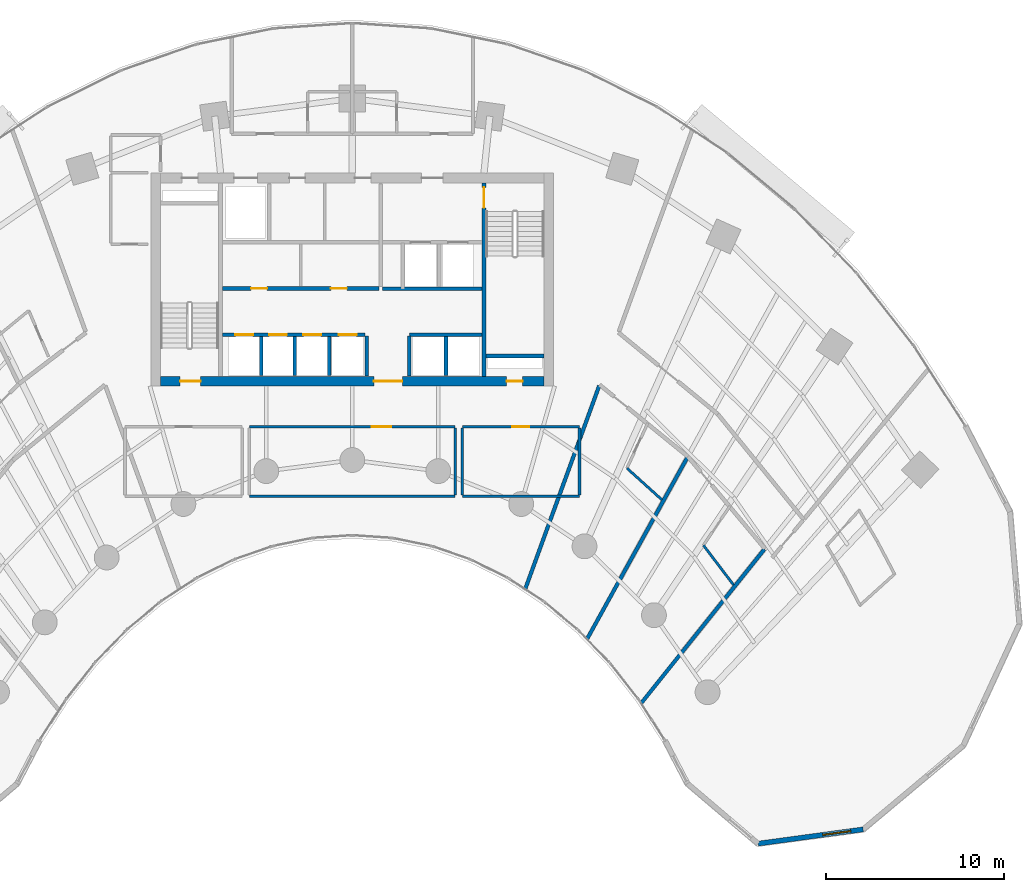
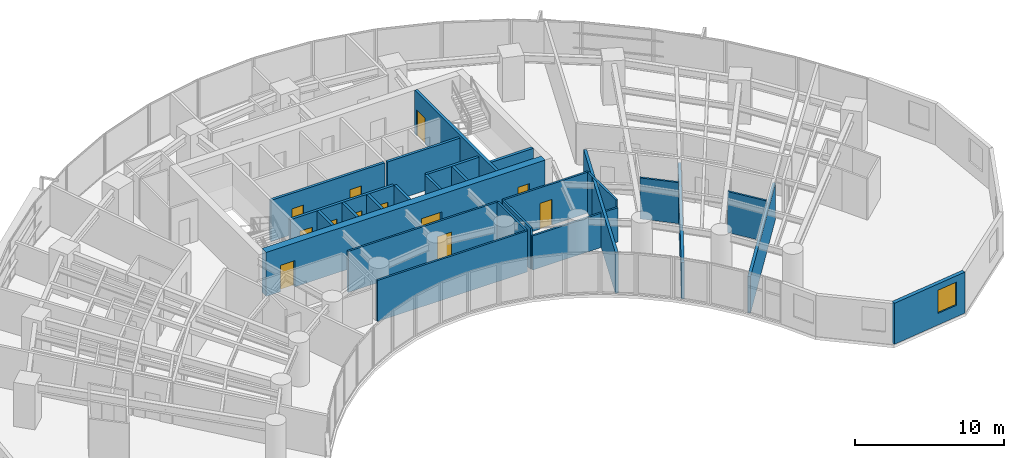
# One storey, part 12 of 17: 26 walls, 12 doors, 1 window, 13 openings.
"""IFC4 building model written with IfcOpenShell, lengths in metres."""

from ifc_helpers import new_model, si_unit, direction, frame, frame_2d, origin, place, context, subcontext, project, spatial, rectangle, extrude, source, transform, mapped, material, layer, layer_set, type_object, type_shapes, element, fill, save


model = new_model("IFC4")

# Units and contexts
model_context = context("Model", 3, precision=1e-05, world=origin(), true_north=direction((0.0, 1.0)))
body_context = subcontext(model_context, "Body", "Model", "MODEL_VIEW")
ifc_project = project(units=[si_unit("LENGTHUNIT", "METRE"), si_unit("AREAUNIT", "SQUARE_METRE"), si_unit("VOLUMEUNIT", "CUBIC_METRE"), si_unit("PLANEANGLEUNIT", "RADIAN"), si_unit("MASSUNIT", "GRAM", prefix="KILO")], contexts=[model_context])

# Site, building, storey
site_placement = place(None, origin())
site = spatial("IfcSite", under=ifc_project, at=site_placement, CompositionType="ELEMENT")
building_placement = place(site_placement, origin())
building = spatial("IfcBuilding", under=site, at=building_placement, Name="Breltana Convention Tower", CompositionType="ELEMENT")
storey_placement = place(building_placement, frame((0.0, 0.0, 75.0)))
storey = spatial("IfcBuildingStorey", under=building, at=storey_placement, Name="L17", CompositionType="ELEMENT", Elevation=75.0)

# Wall, openings, doors
ifc_material_1 = material(Name="Concrete C60/75", Category="concrete")
ifc_layer_1 = layer(ifc_material_1, 0.550048828125, Name="Concrete C60/75")
ifc_layer_set_1 = layer_set([ifc_layer_1], Name="Concrete C60/75")
wall_type_1 = type_object("IfcWallType", Name="SW-CORE-550", PredefinedType="SHEAR", material=ifc_layer_set_1)
shared_shape_1 = source(origin(), body_context, "Body", "SweptSolid", [
    extrude(rectangle(XDim=21.60009765625, YDim=0.550048828125, at=frame_2d((10.800048828125, 0.0))), origin(), (0.0, 0.0, 1.0), 3.60009765625),
])
wall_1_placement = place(storey_placement, frame((37.199951171875, 60.47509765625, 0.0), z_axis=(0.0, 0.0, 1.0), x_axis=(1.0, 0.0, 0.0)))
wall_1 = element("IfcWall", 1, at=wall_1_placement, inside=storey, type_object=wall_type_1, Name="L17 South Core Shear Wall", PredefinedType="SHEAR", context=body_context, shape_type="MappedRepresentation", body=[
    mapped(shared_shape_1, transform((0.0, 0.0, 0.0), scale=1.0)),
])
opening_1_placement = place(wall_1_placement, frame((1.10009765625, 0.0, 0.0)))
opening_1 = element("IfcOpeningElement", 2, at=opening_1_placement, cuts=wall_1, Name="Opening D-11", PredefinedType="OPENING", context=body_context, shape_type="SweptSolid", body=[
    extrude(rectangle(XDim=1.14990234375, YDim=2.14990234375, at=frame_2d((0.574951171875, 1.074951171875))), frame((0.0, 0.28515625, 0.0), z_axis=(0.0, -1.0, 0.0), x_axis=(1.0, 0.0, 0.0)), (0.0, 0.0, 1.0), 0.570068359375),
])
opening_2_placement = place(wall_1_placement, frame((19.5, 0.0, 0.0)))
opening_2 = element("IfcOpeningElement", 3, at=opening_2_placement, cuts=wall_1, Name="Opening D-18", PredefinedType="OPENING", context=body_context, shape_type="SweptSolid", body=[
    extrude(rectangle(XDim=0.89990234375, YDim=2.10009765625, at=frame_2d((0.449951171875, 1.050048828125))), frame((0.0, 0.28515625, 0.0), z_axis=(0.0, -1.0, 0.0), x_axis=(1.0, 0.0, 0.0)), (0.0, 0.0, 1.0), 0.570068359375),
])
opening_3_placement = place(wall_1_placement, frame((12.02001953125, 0.0, 0.0)))
opening_3 = element("IfcOpeningElement", 4, at=opening_3_placement, cuts=wall_1, Name="Opening D-02", PredefinedType="OPENING", context=body_context, shape_type="SweptSolid", body=[
    extrude(rectangle(XDim=1.60009765625, YDim=2.14990234375, at=frame_2d((0.800048828125, 1.074951171875))), frame((0.0, 0.28515625, 0.0), z_axis=(0.0, -1.0, 0.0), x_axis=(1.0, 0.0, 0.0)), (0.0, 0.0, 1.0), 0.570068359375),
])
ifc_material_2 = material(Name="Steel Stair Exit Door", Category="steel")
door_type_1 = type_object("IfcDoorType", Name="DR-FD120-1150", OperationType="NOTDEFINED", PredefinedType="DOOR", material=ifc_material_2)
shared_shape_2 = source(origin(), body_context, "Body", "SweptSolid", [
    extrude(rectangle(XDim=1.14990234375, YDim=2.14990234375, at=frame_2d((0.574951171875, 1.074951171875))), frame((0.0, 0.02490234375, 0.0), z_axis=(0.0, -1.0, 0.0), x_axis=(1.0, 0.0, 0.0)), (0.0, 0.0, 1.0), 0.050048828125),
])
type_shapes(door_type_1, [shared_shape_2])
door_1_placement = place(opening_1_placement, origin())
door_1 = element("IfcDoor", 5, at=door_1_placement, inside=storey, type_object=door_type_1, Name="L17 interior door D-L17-ST1", OperationType="SINGLE_SWING_LEFT", OverallHeight=2.14990234375, OverallWidth=1.14990234375, PredefinedType="DOOR", context=body_context, shape_type="MappedRepresentation", body=[
    mapped(shared_shape_2, transform((0.0, 0.0, 0.0), scale=1.0)),
])
fill(opening_1, door_1)
ifc_material_3 = material(Name="Steel Riser Fire Door", Category="steel")
door_type_2 = type_object("IfcDoorType", Name="DR-FD60-900", OperationType="NOTDEFINED", PredefinedType="DOOR", material=ifc_material_3)
shared_shape_3 = source(origin(), body_context, "Body", "SweptSolid", [
    extrude(rectangle(XDim=0.89990234375, YDim=2.10009765625, at=frame_2d((0.449951171875, 1.050048828125))), frame((0.0, 0.02490234375, 0.0), z_axis=(0.0, -1.0, 0.0), x_axis=(1.0, 0.0, 0.0)), (0.0, 0.0, 1.0), 0.050048828125),
])
type_shapes(door_type_2, [shared_shape_3])
door_2_placement = place(opening_2_placement, origin())
door_2 = element("IfcDoor", 6, at=door_2_placement, inside=storey, type_object=door_type_2, Name="L17 Core Riser Access Door D-L17-RS2", OperationType="SINGLE_SWING_RIGHT", OverallHeight=2.10009765625, OverallWidth=0.89990234375, PredefinedType="DOOR", context=body_context, shape_type="MappedRepresentation", body=[
    mapped(shared_shape_3, transform((0.0, 0.0, 0.0), scale=1.0)),
])
fill(opening_2, door_2)
ifc_material_4 = material(Name="Steel Glazed Smoke-Control Door", Category="steel")
door_type_3 = type_object("IfcDoorType", Name="DR-DBL-FD90-1600", OperationType="DOUBLE_DOOR_SINGLE_SWING", PredefinedType="DOOR", material=ifc_material_4)
shared_shape_4 = source(origin(), body_context, "Body", "SweptSolid", [
    extrude(rectangle(XDim=1.60009765625, YDim=2.14990234375, at=frame_2d((0.800048828125, 1.074951171875))), frame((0.0, 0.02490234375, 0.0), z_axis=(0.0, -1.0, 0.0), x_axis=(1.0, 0.0, 0.0)), (0.0, 0.0, 1.0), 0.050048828125),
])
type_shapes(door_type_3, [shared_shape_4])
door_3_placement = place(opening_3_placement, origin())
door_3 = element("IfcDoor", 7, at=door_3_placement, inside=storey, type_object=door_type_3, Name="L17 interior door D-L17-LLB-S", OperationType="DOUBLE_DOOR_SINGLE_SWING", OverallHeight=2.14990234375, OverallWidth=1.60009765625, PredefinedType="DOOR", context=body_context, shape_type="MappedRepresentation", body=[
    mapped(shared_shape_4, transform((0.0, 0.0, 0.0), scale=1.0)),
])
fill(opening_3, door_3)

# Wall
ifc_material_5 = material(Name="Concrete C50/60", Category="concrete")
ifc_layer_2 = layer(ifc_material_5, 0.39990234375, Name="Concrete C50/60")
ifc_layer_set_2 = layer_set([ifc_layer_2], Name="Concrete C50/60")
wall_type_2 = type_object("IfcWallType", Name="SW-CORE-400", PredefinedType="SHEAR", material=ifc_layer_set_2)
shared_shape_5 = source(origin(), body_context, "Body", "SweptSolid", [
    extrude(rectangle(XDim=3.27001953125, YDim=0.219970703125, at=frame_2d((1.635009765625, 0.0))), origin(), (0.0, 0.0, 1.0), 3.60009765625),
])
wall_2_placement = place(storey_placement, frame((55.530029296875, 61.889892578125, 0.0), z_axis=(0.0, 0.0, 1.0), x_axis=(1.0, 0.0, 0.0)))
element("IfcWall", 8, at=wall_2_placement, inside=storey, type_object=wall_type_2, Name="L17 ST-2 Stairwell South Bearing Wall", PredefinedType="SHEAR", context=body_context, shape_type="MappedRepresentation", body=[
    mapped(shared_shape_5, transform((0.0, 0.0, 0.0), scale=1.0)),
])

# Wall, opening, door
shared_shape_6 = source(origin(), body_context, "Body", "SweptSolid", [
    extrude(rectangle(XDim=10.89990234375, YDim=0.219970703125, at=frame_2d((5.449951171875, 0.0))), origin(), (0.0, 0.0, 1.0), 3.60009765625),
])
wall_3_placement = place(storey_placement, frame((55.419921875, 60.75, 0.0), z_axis=(0.0, 0.0, 1.0), x_axis=(0.0, 1.0, 0.0)))
wall_3 = element("IfcWall", 9, at=wall_3_placement, inside=storey, type_object=wall_type_2, Name="L17 Core East Stair Spine Wall", PredefinedType="SHEAR", context=body_context, shape_type="MappedRepresentation", body=[
    mapped(shared_shape_6, transform((0.0, 0.0, 0.0), scale=1.0)),
])
opening_4_placement = place(wall_3_placement, frame((9.4951171875, 0.0, 0.0)))
opening_4 = element("IfcOpeningElement", 10, at=opening_4_placement, cuts=wall_3, Name="Opening D-11", PredefinedType="OPENING", context=body_context, shape_type="SweptSolid", body=[
    extrude(rectangle(XDim=1.14990234375, YDim=2.14990234375, at=frame_2d((0.574951171875, 1.074951171875))), frame((0.0, 0.1201171875, 0.0), z_axis=(0.0, -1.0, 0.0), x_axis=(1.0, 0.0, 0.0)), (0.0, 0.0, 1.0), 0.239990234375),
])
door_4_placement = place(opening_4_placement, origin())
door_4 = element("IfcDoor", 11, at=door_4_placement, inside=storey, type_object=door_type_1, Name="L17 interior door D-L17-ST2", OperationType="SINGLE_SWING_LEFT", OverallHeight=2.14990234375, OverallWidth=1.14990234375, PredefinedType="DOOR", context=body_context, shape_type="MappedRepresentation", body=[
    mapped(shared_shape_2, transform((0.0, 0.0, 0.0), scale=1.0)),
])
fill(opening_4, door_4)

# Wall, opening, window
ifc_material_6 = material(Name="Limestone Buff Insulated Wall", Category="masonry")
ifc_layer_3 = layer(ifc_material_6, 0.280029296875, Name="Limestone Buff Insulated Wall")
ifc_layer_set_3 = layer_set([ifc_layer_3], Name="Limestone Buff Insulated Wall")
wall_type_3 = type_object("IfcWallType", Name="WL-EXT-NOSE-280", PredefinedType="SOLIDWALL", material=ifc_layer_set_3)
shared_shape_7 = source(origin(), body_context, "Body", "SweptSolid", [
    extrude(rectangle(XDim=5.96728515625, YDim=0.280029296875, at=frame_2d((2.983642578125, 0.0))), origin(), (0.0, 0.0, 1.0), 3.360107421875),
])
wall_4_placement = place(storey_placement, frame((76.77734375, 35.226806640625, 0.0), z_axis=(0.0, 0.0, 1.0), x_axis=(-0.990927009341, -0.134401124099, 0.0)))
wall_4 = element("IfcWall", 12, at=wall_4_placement, inside=storey, type_object=wall_type_3, Name="L17 curved limestone nose wall E4", PredefinedType="SOLIDWALL", context=body_context, shape_type="MappedRepresentation", body=[
    mapped(shared_shape_7, transform((0.0, 0.0, 0.0), scale=1.0)),
])
opening_5_placement = place(wall_4_placement, frame((0.69189453125, 0.0, 0.949951171875)))
opening_5 = element("IfcOpeningElement", 13, at=opening_5_placement, cuts=wall_4, Name="Opening W-04", PredefinedType="OPENING", context=body_context, shape_type="SweptSolid", body=[
    extrude(rectangle(XDim=1.60009765625, YDim=1.89990234375, at=frame_2d((0.800048828125, 0.949951171875))), frame((0.0, 0.14990234375, 0.0), z_axis=(0.0, -1.0, 0.0), x_axis=(1.0, 0.0, 0.0)), (0.0, 0.0, 1.0), 0.300048828125),
])
ifc_material_7 = material(Name="Glass Low-E Insulated Window", Category="glass")
window_type = type_object("IfcWindowType", Name="WN-NOSE-1600X1900", PartitioningType="SINGLE_PANEL", PredefinedType="WINDOW", material=ifc_material_7)
shared_shape_8 = source(origin(), body_context, "Body", "SweptSolid", [
    extrude(rectangle(XDim=1.60009765625, YDim=1.89990234375, at=frame_2d((0.800048828125, 0.949951171875))), frame((0.0, 0.030029296875, 0.0), z_axis=(0.0, -1.0, 0.0), x_axis=(1.0, 0.0, 0.0)), (0.0, 0.0, 1.0), 0.06005859375),
])
type_shapes(window_type, [shared_shape_8])
window_placement = place(opening_5_placement, origin())
window = element("IfcWindow", 14, at=window_placement, inside=storey, type_object=window_type, Name="L17 nose window E4", OverallHeight=1.89990234375, OverallWidth=1.60009765625, PartitioningType="SINGLE_PANEL", PredefinedType="WINDOW", context=body_context, shape_type="MappedRepresentation", body=[
    mapped(shared_shape_8, transform((0.0, 0.0, 0.0), scale=1.0)),
])
fill(opening_5, window)

# Walls
ifc_material_8 = material(Name="Autoclaved Aerated Concrete Block", Category="concrete")
ifc_layer_4 = layer(ifc_material_8, 0.199951171875, Name="Autoclaved Aerated Concrete Block")
ifc_layer_set_4 = layer_set([ifc_layer_4], Name="Autoclaved Aerated Concrete Block")
wall_type_4 = type_object("IfcWallType", Name="WL-SHAFT-200", PredefinedType="SOLIDWALL", material=ifc_layer_set_4)
shared_shape_9 = source(origin(), body_context, "Body", "SweptSolid", [
    extrude(rectangle(XDim=2.239990234375, YDim=0.199951171875, at=frame_2d((1.1201171875, 0.0))), origin(), (0.0, 0.0, 1.0), 3.360107421875),
])
for number, where, z_axis, x_axis, name in (
    (15, (48.820068359375, 60.780029296875, 0.0), (0.0, 0.0, 1.0), (0.0, 1.0, 0.0), "L17 interior partition W-L17-PORT-W"),
    (16, (51.219970703125, 60.780029296875, 0.0), (0.0, 0.0, 1.0), (0.0, 1.0, 0.0), "L17 interior partition W-L17-PORT-E"),
):
    element("IfcWall", number, at=place(storey_placement, frame(where, z_axis=z_axis, x_axis=x_axis)), inside=storey, type_object=wall_type_4, Name=name, PredefinedType="SOLIDWALL", context=body_context, shape_type="MappedRepresentation", body=[
        mapped(shared_shape_9, transform((0.0, 0.0, 0.0), scale=1.0)),
    ])
shared_shape_10 = source(origin(), body_context, "Body", "SweptSolid", [
    extrude(rectangle(XDim=5.6201171875, YDim=0.199951171875, at=frame_2d((2.81005859375, 0.0))), origin(), (0.0, 0.0, 1.0), 3.360107421875),
])
wall_5_placement = place(storey_placement, frame((49.699951171875, 65.679931640625, 0.0), z_axis=(0.0, 0.0, 1.0), x_axis=(1.0, 0.0, 0.0)))
element("IfcWall", 17, at=wall_5_placement, inside=storey, type_object=wall_type_4, Name="L17 interior partition W-L17-FL-S", PredefinedType="SOLIDWALL", context=body_context, shape_type="MappedRepresentation", body=[
    mapped(shared_shape_10, transform((0.0, 0.0, 0.0), scale=1.0)),
])

# Wall, openings, doors
shared_shape_11 = source(origin(), body_context, "Body", "SweptSolid", [
    extrude(rectangle(XDim=8.800048828125, YDim=0.199951171875, at=frame_2d((4.39990234375, 0.0))), origin(), (0.0, 0.0, 1.0), 3.360107421875),
])
wall_6_placement = place(storey_placement, frame((40.699951171875, 65.699951171875, 0.0), z_axis=(0.0, 0.0, 1.0), x_axis=(1.0, 0.0, 0.0)))
wall_6 = element("IfcWall", 18, at=wall_6_placement, inside=storey, type_object=wall_type_4, Name="L17 interior partition W-L17-SH-M-FRONT", PredefinedType="SOLIDWALL", context=body_context, shape_type="MappedRepresentation", body=[
    mapped(shared_shape_11, transform((0.0, 0.0, 0.0), scale=1.0)),
])
opening_6_placement = place(wall_6_placement, frame((1.60009765625, 0.0, 0.0)))
opening_6 = element("IfcOpeningElement", 19, at=opening_6_placement, cuts=wall_6, Name="Opening D-18", PredefinedType="OPENING", context=body_context, shape_type="SweptSolid", body=[
    extrude(rectangle(XDim=0.89990234375, YDim=2.10009765625, at=frame_2d((0.449951171875, 1.050048828125))), frame((0.0, 0.10986328125, 0.0), z_axis=(0.0, -1.0, 0.0), x_axis=(1.0, 0.0, 0.0)), (0.0, 0.0, 1.0), 0.219970703125),
])
opening_7_placement = place(wall_6_placement, frame((6.10009765625, 0.0, 0.0)))
opening_7 = element("IfcOpeningElement", 20, at=opening_7_placement, cuts=wall_6, Name="Opening D-18", PredefinedType="OPENING", context=body_context, shape_type="SweptSolid", body=[
    extrude(rectangle(XDim=0.89990234375, YDim=2.10009765625, at=frame_2d((0.449951171875, 1.050048828125))), frame((0.0, 0.10986328125, 0.0), z_axis=(0.0, -1.0, 0.0), x_axis=(1.0, 0.0, 0.0)), (0.0, 0.0, 1.0), 0.219970703125),
])
door_5_placement = place(opening_6_placement, origin())
door_5 = element("IfcDoor", 21, at=door_5_placement, inside=storey, type_object=door_type_2, Name="L17 interior door D-L17-LV7-B2A", OperationType="SINGLE_SWING_LEFT", OverallHeight=2.10009765625, OverallWidth=0.89990234375, PredefinedType="DOOR", context=body_context, shape_type="MappedRepresentation", body=[
    mapped(shared_shape_3, transform((0.0, 0.0, 0.0), scale=1.0)),
])
fill(opening_6, door_5)
door_6_placement = place(opening_7_placement, origin())
door_6 = element("IfcDoor", 22, at=door_6_placement, inside=storey, type_object=door_type_2, Name="L17 interior door D-L17-LV7-B2B", OperationType="SINGLE_SWING_RIGHT", OverallHeight=2.10009765625, OverallWidth=0.89990234375, PredefinedType="DOOR", context=body_context, shape_type="MappedRepresentation", body=[
    mapped(shared_shape_3, transform((0.0, 0.0, 0.0), scale=1.0)),
])
fill(opening_7, door_6)

shared_shape_12 = source(origin(), body_context, "Body", "SweptSolid", [
    extrude(rectangle(XDim=8.02001953125, YDim=0.199951171875, at=frame_2d((4.010009765625, 0.0))), origin(), (0.0, 0.0, 1.0), 3.360107421875),
])
wall_7_placement = place(storey_placement, frame((40.699951171875, 63.10009765625, 0.0), z_axis=(0.0, 0.0, 1.0), x_axis=(1.0, 0.0, 0.0)))
wall_7 = element("IfcWall", 23, at=wall_7_placement, inside=storey, type_object=wall_type_4, Name="L17 interior partition W-L17-SH-S-FRONT", PredefinedType="SOLIDWALL", context=body_context, shape_type="MappedRepresentation", body=[
    mapped(shared_shape_12, transform((0.0, 0.0, 0.0), scale=1.0)),
])
opening_8_placement = place(wall_7_placement, frame((0.719970703125, 0.0, 0.0)))
opening_8 = element("IfcOpeningElement", 24, at=opening_8_placement, cuts=wall_7, Name="Opening LD-04", PredefinedType="OPENING", context=body_context, shape_type="SweptSolid", body=[
    extrude(rectangle(XDim=1.0, YDim=2.14990234375, at=frame_2d((0.5, 1.074951171875))), frame((0.0, 0.10986328125, 0.0), z_axis=(0.0, -1.0, 0.0), x_axis=(1.0, 0.0, 0.0)), (0.0, 0.0, 1.0), 0.219970703125),
])
opening_9_placement = place(wall_7_placement, frame((2.6201171875, 0.0, 0.0)))
opening_9 = element("IfcOpeningElement", 25, at=opening_9_placement, cuts=wall_7, Name="Opening LD-04", PredefinedType="OPENING", context=body_context, shape_type="SweptSolid", body=[
    extrude(rectangle(XDim=1.0, YDim=2.14990234375, at=frame_2d((0.5, 1.074951171875))), frame((0.0, 0.10986328125, 0.0), z_axis=(0.0, -1.0, 0.0), x_axis=(1.0, 0.0, 0.0)), (0.0, 0.0, 1.0), 0.219970703125),
])
opening_10_placement = place(wall_7_placement, frame((4.550048828125, 0.0, 0.0)))
opening_10 = element("IfcOpeningElement", 26, at=opening_10_placement, cuts=wall_7, Name="Opening LD-04", PredefinedType="OPENING", context=body_context, shape_type="SweptSolid", body=[
    extrude(rectangle(XDim=1.0, YDim=2.14990234375, at=frame_2d((0.5, 1.074951171875))), frame((0.0, 0.10986328125, 0.0), z_axis=(0.0, -1.0, 0.0), x_axis=(1.0, 0.0, 0.0)), (0.0, 0.0, 1.0), 0.219970703125),
])
opening_11_placement = place(wall_7_placement, frame((6.550048828125, 0.0, 0.0)))
opening_11 = element("IfcOpeningElement", 27, at=opening_11_placement, cuts=wall_7, Name="Opening LD-04", PredefinedType="OPENING", context=body_context, shape_type="SweptSolid", body=[
    extrude(rectangle(XDim=1.0, YDim=2.14990234375, at=frame_2d((0.5, 1.074951171875))), frame((0.0, 0.10986328125, 0.0), z_axis=(0.0, -1.0, 0.0), x_axis=(1.0, 0.0, 0.0)), (0.0, 0.0, 1.0), 0.219970703125),
])
ifc_material_9 = material(Name="Stainless Steel Brushed", Category="steel")
door_type_4 = type_object("IfcDoorType", Name="DR-LD-PAX-1000", OperationType="DOUBLE_DOOR_SLIDING", PredefinedType="DOOR", material=ifc_material_9)
shared_shape_13 = source(origin(), body_context, "Body", "SweptSolid", [
    extrude(rectangle(XDim=1.0, YDim=2.14990234375, at=frame_2d((0.5, 1.074951171875))), frame((0.0, 0.02490234375, 0.0), z_axis=(0.0, -1.0, 0.0), x_axis=(1.0, 0.0, 0.0)), (0.0, 0.0, 1.0), 0.050048828125),
])
type_shapes(door_type_4, [shared_shape_13])
door_7_placement = place(opening_8_placement, origin())
door_7 = element("IfcDoor", 28, at=door_7_placement, inside=storey, type_object=door_type_4, Name="L17 Lift Landing Door D-L17-LD-S1", OperationType="DOUBLE_DOOR_SLIDING", OverallHeight=2.14990234375, OverallWidth=1.0, PredefinedType="DOOR", context=body_context, shape_type="MappedRepresentation", body=[
    mapped(shared_shape_13, transform((0.0, 0.0, 0.0), scale=1.0)),
])
fill(opening_8, door_7)
door_8_placement = place(opening_9_placement, origin())
door_8 = element("IfcDoor", 29, at=door_8_placement, inside=storey, type_object=door_type_4, Name="L17 Lift Landing Door D-L17-LD-S2", OperationType="DOUBLE_DOOR_SLIDING", OverallHeight=2.14990234375, OverallWidth=1.0, PredefinedType="DOOR", context=body_context, shape_type="MappedRepresentation", body=[
    mapped(shared_shape_13, transform((0.0, 0.0, 0.0), scale=1.0)),
])
fill(opening_9, door_8)
door_9_placement = place(opening_10_placement, origin())
door_9 = element("IfcDoor", 30, at=door_9_placement, inside=storey, type_object=door_type_4, Name="L17 Lift Landing Door D-L17-LD-S3", OperationType="DOUBLE_DOOR_SLIDING", OverallHeight=2.14990234375, OverallWidth=1.0, PredefinedType="DOOR", context=body_context, shape_type="MappedRepresentation", body=[
    mapped(shared_shape_13, transform((0.0, 0.0, 0.0), scale=1.0)),
])
fill(opening_10, door_9)
door_10_placement = place(opening_11_placement, origin())
door_10 = element("IfcDoor", 31, at=door_10_placement, inside=storey, type_object=door_type_4, Name="L17 Lift Landing Door D-L17-LD-S4", OperationType="DOUBLE_DOOR_SLIDING", OverallHeight=2.14990234375, OverallWidth=1.0, PredefinedType="DOOR", context=body_context, shape_type="MappedRepresentation", body=[
    mapped(shared_shape_13, transform((0.0, 0.0, 0.0), scale=1.0)),
])
fill(opening_11, door_10)

# Walls
shared_shape_14 = source(origin(), body_context, "Body", "SweptSolid", [
    extrude(rectangle(XDim=4.10009765625, YDim=0.199951171875, at=frame_2d((2.050048828125, 0.0))), origin(), (0.0, 0.0, 1.0), 3.360107421875),
])
wall_8_placement = place(storey_placement, frame((51.219970703125, 63.10009765625, 0.0), z_axis=(0.0, 0.0, 1.0), x_axis=(1.0, 0.0, 0.0)))
element("IfcWall", 32, at=wall_8_placement, inside=storey, type_object=wall_type_4, Name="L17 interior partition W-L17-SH-X-FRONT", PredefinedType="SOLIDWALL", context=body_context, shape_type="MappedRepresentation", body=[
    mapped(shared_shape_14, transform((0.0, 0.0, 0.0), scale=1.0)),
])
shared_shape_15 = source(origin(), body_context, "Body", "SweptSolid", [
    extrude(rectangle(XDim=2.199951171875, YDim=0.199951171875, at=frame_2d((1.10009765625, 0.0))), origin(), (0.0, 0.0, 1.0), 3.360107421875),
])
for number, where, z_axis, x_axis, name in (
    (33, (42.8701171875, 60.800048828125, 0.0), (0.0, 0.0, 1.0), (0.0, 1.0, 0.0), "L17 interior partition W-L17-SH-S-DIV1"),
    (34, (44.77001953125, 60.800048828125, 0.0), (0.0, 0.0, 1.0), (0.0, 1.0, 0.0), "L17 interior partition W-L17-SH-S-DIV2"),
    (35, (46.699951171875, 60.800048828125, 0.0), (0.0, 0.0, 1.0), (0.0, 1.0, 0.0), "L17 interior partition W-L17-SH-S-DIV3"),
    (36, (53.280029296875, 60.800048828125, 0.0), (0.0, 0.0, 1.0), (0.0, 1.0, 0.0), "L17 interior partition W-L17-SH-X-DIV"),
):
    element("IfcWall", number, at=place(storey_placement, frame(where, z_axis=z_axis, x_axis=x_axis)), inside=storey, type_object=wall_type_4, Name=name, PredefinedType="SOLIDWALL", context=body_context, shape_type="MappedRepresentation", body=[
        mapped(shared_shape_15, transform((0.0, 0.0, 0.0), scale=1.0)),
    ])
ifc_material_10 = material(Name="Gypsum Acoustic Drywall Partition")
ifc_layer_5 = layer(ifc_material_10, 0.14990234375, Name="Gypsum Acoustic Drywall Partition")
ifc_layer_set_5 = layer_set([ifc_layer_5], Name="Gypsum Acoustic Drywall Partition")
wall_type_5 = type_object("IfcWallType", Name="WL-PART-150", PredefinedType="PARTITIONING", material=ifc_layer_set_5)
shared_shape_16 = source(origin(), body_context, "Body", "SweptSolid", [
    extrude(rectangle(XDim=6.60009765625, YDim=0.14990234375, at=frame_2d((3.300048828125, 0.0))), origin(), (0.0, 0.0, 1.0), 2.802978515625),
])
wall_9_placement = place(storey_placement, frame((54.199951171875, 54.0, 0.0), z_axis=(0.0, 0.0, 1.0), x_axis=(1.0, 0.0, 0.0)))
element("IfcWall", 37, at=wall_9_placement, inside=storey, type_object=wall_type_5, Name="L17 interior partition W-L17-HMT-S", PredefinedType="PARTITIONING", context=body_context, shape_type="MappedRepresentation", body=[
    mapped(shared_shape_16, transform((0.0, 0.0, 0.0), scale=1.0)),
])

# Wall, opening, door
shared_shape_17 = source(origin(), body_context, "Body", "SweptSolid", [
    extrude(rectangle(XDim=6.60009765625, YDim=0.14990234375, at=frame_2d((3.300048828125, 0.0))), origin(), (0.0, 0.0, 1.0), 3.360107421875),
])
wall_10_placement = place(storey_placement, frame((54.199951171875, 57.919921875, 0.0), z_axis=(0.0, 0.0, 1.0), x_axis=(1.0, 0.0, 0.0)))
wall_10 = element("IfcWall", 38, at=wall_10_placement, inside=storey, type_object=wall_type_5, Name="L17 interior partition W-L17-HMT-N", PredefinedType="PARTITIONING", context=body_context, shape_type="MappedRepresentation", body=[
    mapped(shared_shape_17, transform((0.0, 0.0, 0.0), scale=1.0)),
])
opening_12_placement = place(wall_10_placement, frame((2.824951171875, 0.0, 0.0)))
opening_12 = element("IfcOpeningElement", 39, at=opening_12_placement, cuts=wall_10, Name="Opening D-17", PredefinedType="OPENING", context=body_context, shape_type="SweptSolid", body=[
    extrude(rectangle(XDim=0.949951171875, YDim=2.10009765625, at=frame_2d((0.47509765625, 1.050048828125))), frame((0.0, 0.0849609375, 0.0), z_axis=(0.0, -1.0, 0.0), x_axis=(1.0, 0.0, 0.0)), (0.0, 0.0, 1.0), 0.169921875),
])
ifc_material_11 = material(Name="Timber Oak Veneer Door", Category="wood")
door_type_5 = type_object("IfcDoorType", Name="DR-INT-950", OperationType="NOTDEFINED", PredefinedType="DOOR", material=ifc_material_11)
shared_shape_18 = source(origin(), body_context, "Body", "SweptSolid", [
    extrude(rectangle(XDim=0.949951171875, YDim=2.10009765625, at=frame_2d((0.47509765625, 1.050048828125))), frame((0.0, 0.02490234375, 0.0), z_axis=(0.0, -1.0, 0.0), x_axis=(1.0, 0.0, 0.0)), (0.0, 0.0, 1.0), 0.050048828125),
])
type_shapes(door_type_5, [shared_shape_18])
door_11_placement = place(opening_12_placement, origin())
door_11 = element("IfcDoor", 40, at=door_11_placement, inside=storey, type_object=door_type_5, Name="L17 interior door D-L17-HMT", OperationType="SINGLE_SWING_LEFT", OverallHeight=2.10009765625, OverallWidth=0.949951171875, PredefinedType="DOOR", context=body_context, shape_type="MappedRepresentation", body=[
    mapped(shared_shape_18, transform((0.0, 0.0, 0.0), scale=1.0)),
])
fill(opening_12, door_11)

# Walls
shared_shape_19 = source(origin(), body_context, "Body", "SweptSolid", [
    extrude(rectangle(XDim=3.78515625, YDim=0.14990234375, at=frame_2d((1.892578125, 0.0))), origin(), (0.0, 0.0, 1.0), 3.360107421875),
])
for number, where, z_axis, x_axis, name in (
    (41, (53.800048828125, 54.0673828125, 0.0), (0.0, 0.0, 1.0), (0.0, 1.0, 0.0), "L17 interior partition W-L17-HLG-E"),
    (42, (54.199951171875, 54.0673828125, 0.0), (0.0, 0.0, 1.0), (0.0, 1.0, 0.0), "L17 interior partition W-L17-HMT-W"),
    (43, (60.800048828125, 54.0673828125, 0.0), (0.0, 0.0, 1.0), (0.0, 1.0, 0.0), "L17 interior partition W-L17-HMT-E"),
):
    element("IfcWall", number, at=place(storey_placement, frame(where, z_axis=z_axis, x_axis=x_axis)), inside=storey, type_object=wall_type_5, Name=name, PredefinedType="PARTITIONING", context=body_context, shape_type="MappedRepresentation", body=[
        mapped(shared_shape_19, transform((0.0, 0.0, 0.0), scale=1.0)),
    ])
shared_shape_20 = source(origin(), body_context, "Body", "SweptSolid", [
    extrude(rectangle(XDim=11.60009765625, YDim=0.14990234375, at=frame_2d((5.800048828125, 0.0))), origin(), (0.0, 0.0, 1.0), 3.360107421875),
])
wall_11_placement = place(storey_placement, frame((42.199951171875, 54.0, 0.0), z_axis=(0.0, 0.0, 1.0), x_axis=(1.0, 0.0, 0.0)))
element("IfcWall", 44, at=wall_11_placement, inside=storey, type_object=wall_type_5, Name="L17 interior partition W-L17-HLG-S", PredefinedType="PARTITIONING", context=body_context, shape_type="MappedRepresentation", body=[
    mapped(shared_shape_20, transform((0.0, 0.0, 0.0), scale=1.0)),
])

# Wall, opening, door
wall_12_placement = place(storey_placement, frame((42.199951171875, 57.919921875, 0.0), z_axis=(0.0, 0.0, 1.0), x_axis=(1.0, 0.0, 0.0)))
wall_12 = element("IfcWall", 45, at=wall_12_placement, inside=storey, type_object=wall_type_5, Name="L17 interior partition W-L17-HLG-N", PredefinedType="PARTITIONING", context=body_context, shape_type="MappedRepresentation", body=[
    mapped(shared_shape_20, transform((0.0, 0.0, 0.0), scale=1.0)),
])
opening_13_placement = place(wall_12_placement, frame((6.89990234375, 0.0, 0.0)))
opening_13 = element("IfcOpeningElement", 46, at=opening_13_placement, cuts=wall_12, Name="Opening D-12", PredefinedType="OPENING", context=body_context, shape_type="SweptSolid", body=[
    extrude(rectangle(XDim=1.10009765625, YDim=2.14990234375, at=frame_2d((0.550048828125, 1.074951171875))), frame((0.0, 0.0849609375, 0.0), z_axis=(0.0, -1.0, 0.0), x_axis=(1.0, 0.0, 0.0)), (0.0, 0.0, 1.0), 0.169921875),
])
ifc_material_12 = material(Name="Timber Oak Acoustic Door", Category="wood")
door_type_6 = type_object("IfcDoorType", Name="DR-INT-1100", OperationType="NOTDEFINED", PredefinedType="DOOR", material=ifc_material_12)
shared_shape_21 = source(origin(), body_context, "Body", "SweptSolid", [
    extrude(rectangle(XDim=1.10009765625, YDim=2.14990234375, at=frame_2d((0.550048828125, 1.074951171875))), frame((0.0, 0.02490234375, 0.0), z_axis=(0.0, -1.0, 0.0), x_axis=(1.0, 0.0, 0.0)), (0.0, 0.0, 1.0), 0.050048828125),
])
type_shapes(door_type_6, [shared_shape_21])
door_12_placement = place(opening_13_placement, origin())
door_12 = element("IfcDoor", 47, at=door_12_placement, inside=storey, type_object=door_type_6, Name="L17 interior door D-L17-HLG", OperationType="SINGLE_SWING_RIGHT", OverallHeight=2.14990234375, OverallWidth=1.10009765625, PredefinedType="DOOR", context=body_context, shape_type="MappedRepresentation", body=[
    mapped(shared_shape_21, transform((0.0, 0.0, 0.0), scale=1.0)),
])
fill(opening_13, door_12)

# Walls
ifc_material_13 = material(Name="Autoclaved Aerated Masonry Blockwork", Category="masonry")
ifc_layer_6 = layer(ifc_material_13, 0.2099609375, Name="Autoclaved Aerated Masonry Blockwork")
ifc_layer_set_6 = layer_set([ifc_layer_6], Name="Autoclaved Aerated Masonry Blockwork")
wall_type_6 = type_object("IfcWallType", Name="WL-PART-200", PredefinedType="PARTITIONING", material=ifc_layer_set_6)
shared_shape_22 = source(origin(), body_context, "Body", "SweptSolid", [
    extrude(rectangle(XDim=12.1962890625, YDim=0.2099609375, at=frame_2d((6.09814453125, 0.0))), origin(), (0.0, 0.0, 1.0), 3.360107421875),
])
wall_13_placement = place(storey_placement, frame((57.742431640625, 48.766357421875, 0.0), z_axis=(0.0, 0.0, 1.0), x_axis=(0.342022711534, 0.939691686031, 0.0)))
element("IfcWall", 48, at=wall_13_placement, inside=storey, type_object=wall_type_6, Name="L17 interior partition W-L17-ST04-RA", PredefinedType="PARTITIONING", context=body_context, shape_type="MappedRepresentation", body=[
    mapped(shared_shape_22, transform((0.0, 0.0, 0.0), scale=1.0)),
])
shared_shape_23 = source(origin(), body_context, "Body", "SweptSolid", [
    extrude(rectangle(XDim=11.69189453125, YDim=0.2099609375, at=frame_2d((5.845947265625, 0.0))), origin(), (0.0, 0.0, 1.0), 2.989990234375),
])
wall_14_placement = place(storey_placement, frame((61.227783203125, 45.9541015625, 0.0), z_axis=(0.0, 0.0, 1.0), x_axis=(0.483398579324, 0.875400373262, 0.0)))
element("IfcWall", 49, at=wall_14_placement, inside=storey, type_object=wall_type_6, Name="L17 interior partition W-L17-ST04-RB", PredefinedType="PARTITIONING", context=body_context, shape_type="MappedRepresentation", body=[
    mapped(shared_shape_23, transform((0.0, 0.0, 0.0), scale=1.0)),
])
ifc_material_14 = material(Name="Moisture-Resistant En-Suite Partition")
ifc_layer_7 = layer(ifc_material_14, 0.139892578125, Name="Moisture-Resistant En-Suite Partition")
ifc_layer_set_7 = layer_set([ifc_layer_7], Name="Moisture-Resistant En-Suite Partition")
wall_type_7 = type_object("IfcWallType", Name="WL-WET-150", PredefinedType="PARTITIONING", material=ifc_layer_set_7)
shared_shape_24 = source(origin(), body_context, "Body", "SweptSolid", [
    extrude(rectangle(XDim=2.6533203125, YDim=0.139892578125, at=frame_2d((1.32666015625, 0.0))), origin(), (0.0, 0.0, 1.0), 3.360107421875),
])
wall_15_placement = place(storey_placement, frame((63.47509765625, 55.57568359375, 0.0), z_axis=(0.0, 0.0, 1.0), x_axis=(0.741731938744, -0.67069645224, 0.0)))
element("IfcWall", 50, at=wall_15_placement, inside=storey, type_object=wall_type_7, Name="L17 interior partition W-L17-ST04E-BK", PredefinedType="PARTITIONING", context=body_context, shape_type="MappedRepresentation", body=[
    mapped(shared_shape_24, transform((0.0, 0.0, 0.0), scale=1.0)),
])
shared_shape_25 = source(origin(), body_context, "Body", "SweptSolid", [
    extrude(rectangle(XDim=11.095458984375, YDim=0.2099609375, at=frame_2d((5.5478515625, 0.0))), origin(), (0.0, 0.0, 1.0), 2.989990234375),
])
wall_16_placement = place(storey_placement, frame((64.280517578125, 42.343505859375, 0.0), z_axis=(0.0, 0.0, 1.0), x_axis=(0.6248131083, 0.780774346208, 0.0)))
element("IfcWall", 51, at=wall_16_placement, inside=storey, type_object=wall_type_6, Name="L17 interior partition W-L17-ST05-RB", PredefinedType="PARTITIONING", context=body_context, shape_type="MappedRepresentation", body=[
    mapped(shared_shape_25, transform((0.0, 0.0, 0.0), scale=1.0)),
])
shared_shape_26 = source(origin(), body_context, "Body", "SweptSolid", [
    extrude(rectangle(XDim=2.800048828125, YDim=0.139892578125, at=frame_2d((1.39990234375, 0.0))), origin(), (0.0, 0.0, 1.0), 3.360107421875),
])
wall_17_placement = place(storey_placement, frame((67.7822265625, 51.234375, 0.0), z_axis=(0.0, 0.0, 1.0), x_axis=(0.604607833789, -0.796523299923, 0.0)))
element("IfcWall", 52, at=wall_17_placement, inside=storey, type_object=wall_type_7, Name="L17 interior partition W-L17-ST05E-BK", PredefinedType="PARTITIONING", context=body_context, shape_type="MappedRepresentation", body=[
    mapped(shared_shape_26, transform((0.0, 0.0, 0.0), scale=1.0)),
])

save(model, "model.ifc")
